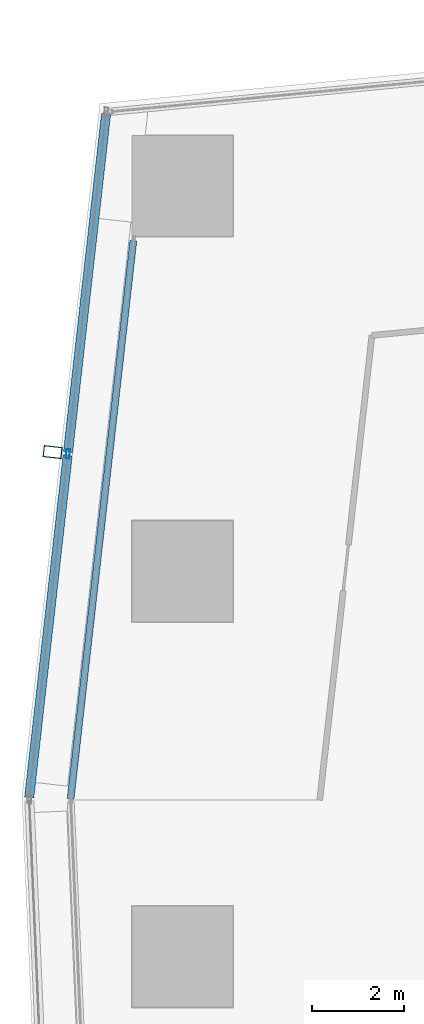
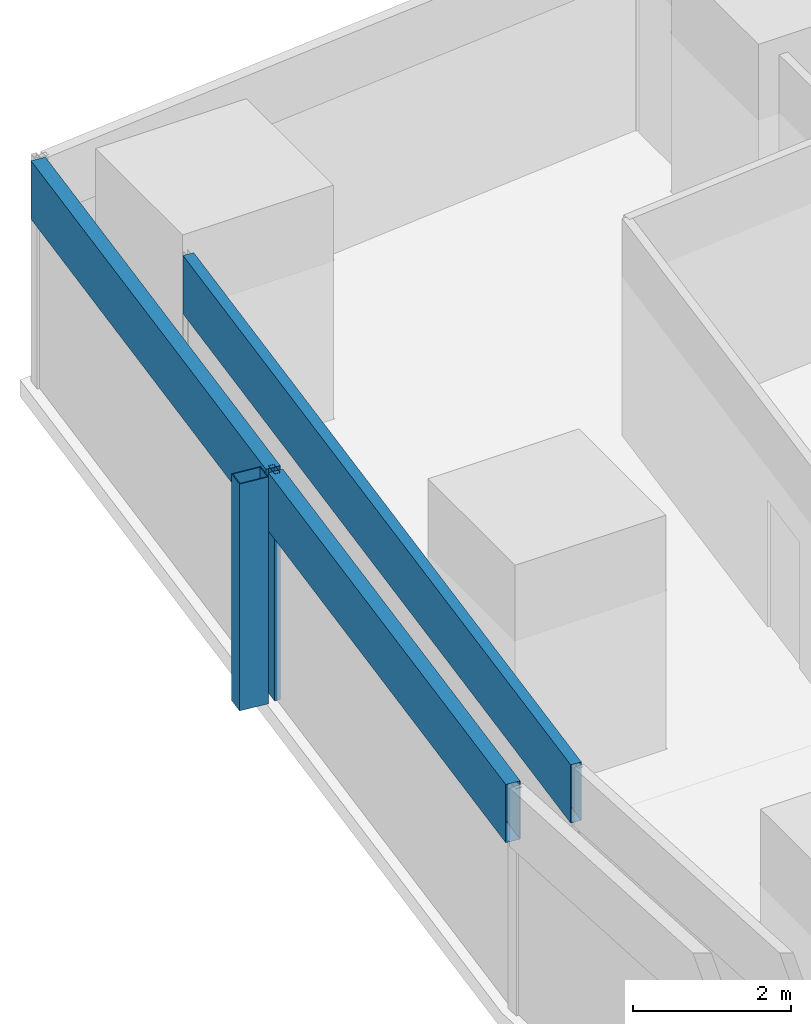
# One storey, part 15 of 44: 5 members, 2 elements without a shape of their own.
"""IFC4 building model written with IfcOpenShell, lengths in metres."""

from ifc_helpers import new_model, si_unit, direction, frame, origin, origin_2d, place, context, subcontext, project, spatial, hollow_rectangle, extrude, material, material_profile, profile_set, type_object, element, aggregate, save


model = new_model("IFC4")

# Units and contexts
model_context = context("Model", 3, precision=1e-05, world=origin(), true_north=direction((0.0, 1.0)))
body_context = subcontext(model_context, "Body", "Model", "MODEL_VIEW")
ifc_project = project(units=[si_unit("LENGTHUNIT", "METRE"), si_unit("AREAUNIT", "SQUARE_METRE"), si_unit("VOLUMEUNIT", "CUBIC_METRE"), si_unit("PLANEANGLEUNIT", "RADIAN"), si_unit("MASSUNIT", "GRAM", prefix="KILO")], contexts=[model_context])

# Site, building, storey
site_placement = place(None, origin())
site = spatial("IfcSite", under=ifc_project, at=site_placement, CompositionType="ELEMENT")
building_placement = place(site_placement, origin())
building = spatial("IfcBuilding", under=site, at=building_placement, Name="Rekha Terrace Tower", CompositionType="ELEMENT")
storey_placement = place(building_placement, frame((0.0, 0.0, 74.14990234375)))
storey = spatial("IfcBuildingStorey", under=building, at=storey_placement, Name="L18", CompositionType="ELEMENT", Elevation=74.14990234375)

# Curtain wall, member
ifc_material_1 = material(Name="Aluminium framing", Category="aluminium")
curtain_wall_type_1 = type_object("IfcCurtainWallType", Name="CW2 double skin outer glazing", PredefinedType="USERDEFINED", material=ifc_material_1)
curtain_wall_1_placement = place(storey_placement, origin())
curtain_wall_1 = element("IfcCurtainWall", 1, at=curtain_wall_1_placement, inside=storey, type_object=curtain_wall_type_1, Name="CW2 double skin outer glazing", ObjectType="DOUBLE SKIN OUTER GLAZING", PredefinedType="USERDEFINED")
ifc_material_2 = material(Name="Steel S355 with fluorocarbon finish", Category="steel")
ifc_material_profile_1 = material_profile(ifc_material_2, hollow_rectangle(XDim=0.25, YDim=0.39990234375, WallThickness=0.012451171875, at=origin_2d()), Name="RHS400x250x12.5")
ifc_profile_set_1 = profile_set([ifc_material_profile_1], Name="Steel S355 with fluorocarbon finish")
member_type_1 = type_object("IfcMemberType", Name="BL1 facade blade RHS 400 x 250", PredefinedType="USERDEFINED", material=ifc_profile_set_1)
member_1_placement = place(storey_placement, frame((5.569580078125, 53.001220703125, 0.0), z_axis=(0.0, 0.0, 1.0), x_axis=(-0.111729096216, -0.993738702607, 0.0)))
member_1 = element("IfcMember", 2, at=member_1_placement, type_object=member_type_1, Name="Facade blade", ObjectType="FACADE BLADE", PredefinedType="USERDEFINED", context=body_context, shape_type="SweptSolid", body=[
    extrude(hollow_rectangle(XDim=0.25, YDim=0.39990234375, WallThickness=0.012451171875, at=origin_2d()), origin(), (0.0, 0.0, 1.0), 3.5),
])

curtain_wall_type_2 = type_object("IfcCurtainWallType", Name="CW1 double skin inner glazing", PredefinedType="USERDEFINED", material=ifc_material_1)
curtain_wall_2_placement = place(storey_placement, origin())
curtain_wall_2 = element("IfcCurtainWall", 3, at=curtain_wall_2_placement, inside=storey, type_object=curtain_wall_type_2, Name="CW1 double skin inner glazing", ObjectType="DOUBLE SKIN INNER GLAZING", PredefinedType="USERDEFINED")
ifc_material_3 = material(Name="Insulated aluminium spandrel box", Category="aluminium")
ifc_material_profile_2 = material_profile(ifc_material_3, hollow_rectangle(XDim=0.14990234375, YDim=0.89990234375, WallThickness=0.0029296875, at=origin_2d()), Name="AL SPANDREL BOX 150x900")
ifc_profile_set_2 = profile_set([ifc_material_profile_2], Name="Insulated aluminium spandrel box")
member_type_2 = type_object("IfcMemberType", Name="CW1 spandrel transom 150 x 900", PredefinedType="USERDEFINED", material=ifc_profile_set_2)
member_2_placement = place(storey_placement, frame((7.33056640625, 57.611083984375, 3.050048828125), z_axis=(-0.111720442276, -0.993739675558, 0.0), x_axis=(0.993739675558, -0.111720442276, 0.0)))
member_2 = element("IfcMember", 4, at=member_2_placement, type_object=member_type_2, Name="CW1 spandrel transom 1", ObjectType="TRANSOM", PredefinedType="USERDEFINED", context=body_context, shape_type="SweptSolid", body=[
    extrude(hollow_rectangle(XDim=0.14990234375, YDim=0.89990234375, WallThickness=0.0029296875, at=origin_2d()), origin(), (0.0, 0.0, 1.0), 12.244140625),
])
aggregate(curtain_wall_2, [member_2])

# Member
ifc_material_4 = material(Name="Aluminium mullion section", Category="aluminium")
ifc_material_profile_3 = material_profile(ifc_material_4, hollow_rectangle(XDim=0.080078125, YDim=0.199951171875, WallThickness=0.00390625, at=origin_2d()), Name="AL RHS 80x200")
ifc_profile_set_3 = profile_set([ifc_material_profile_3], Name="Aluminium mullion section")
member_type_3 = type_object("IfcMemberType", Name="CW2 mullion RHS 80 x 200", PredefinedType="MULLION", material=ifc_profile_set_3)
member_3_placement = place(storey_placement, frame((5.90234375, 52.9638671875, 0.0), z_axis=(0.0, 0.0, 1.0), x_axis=(0.99373861552, -0.111729870782, 0.0)))
member_3 = element("IfcMember", 5, at=member_3_placement, type_object=member_type_3, Name="CW2 mullion 2", PredefinedType="MULLION", context=body_context, shape_type="SweptSolid", body=[
    extrude(hollow_rectangle(XDim=0.080078125, YDim=0.199951171875, WallThickness=0.00390625, at=origin_2d()), origin(), (0.0, 0.0, 1.0), 3.5),
])

ifc_material_profile_4 = material_profile(ifc_material_3, hollow_rectangle(XDim=0.199951171875, YDim=0.89990234375, WallThickness=0.0029296875, at=origin_2d()), Name="AL SPANDREL BOX 200x900")
ifc_profile_set_4 = profile_set([ifc_material_profile_4], Name="Insulated aluminium spandrel box")
member_type_4 = type_object("IfcMemberType", Name="CW2 spandrel transom 200 x 900", PredefinedType="USERDEFINED", material=ifc_profile_set_4)
member_4_placement = place(storey_placement, frame((6.735595703125, 60.37353515625, 3.050048828125), z_axis=(-0.111728537773, -0.993738765394, 0.0), x_axis=(0.993738765394, -0.111728537773, 0.0)))
member_4 = element("IfcMember", 6, at=member_4_placement, type_object=member_type_4, Name="CW2 spandrel transom 1", ObjectType="TRANSOM", PredefinedType="USERDEFINED", context=body_context, shape_type="SweptSolid", body=[
    extrude(hollow_rectangle(XDim=0.199951171875, YDim=0.89990234375, WallThickness=0.0029296875, at=origin_2d()), origin(), (0.0, 0.0, 1.0), 7.416259765625),
])

member_5_placement = place(storey_placement, frame((5.89794921875, 52.924072265625, 3.050048828125), z_axis=(-0.111739697795, -0.993737510582, 0.0), x_axis=(0.993737510582, -0.111739697795, 0.0)))
member_5 = element("IfcMember", 7, at=member_5_placement, type_object=member_type_4, Name="CW2 spandrel transom 2", ObjectType="TRANSOM", PredefinedType="USERDEFINED", context=body_context, shape_type="SweptSolid", body=[
    extrude(hollow_rectangle(XDim=0.199951171875, YDim=0.89990234375, WallThickness=0.0029296875, at=origin_2d()), origin(), (0.0, 0.0, 1.0), 7.496337890625),
])

aggregate(curtain_wall_1, [member_3, member_4, member_5, member_1])

save(model, "model.ifc")
